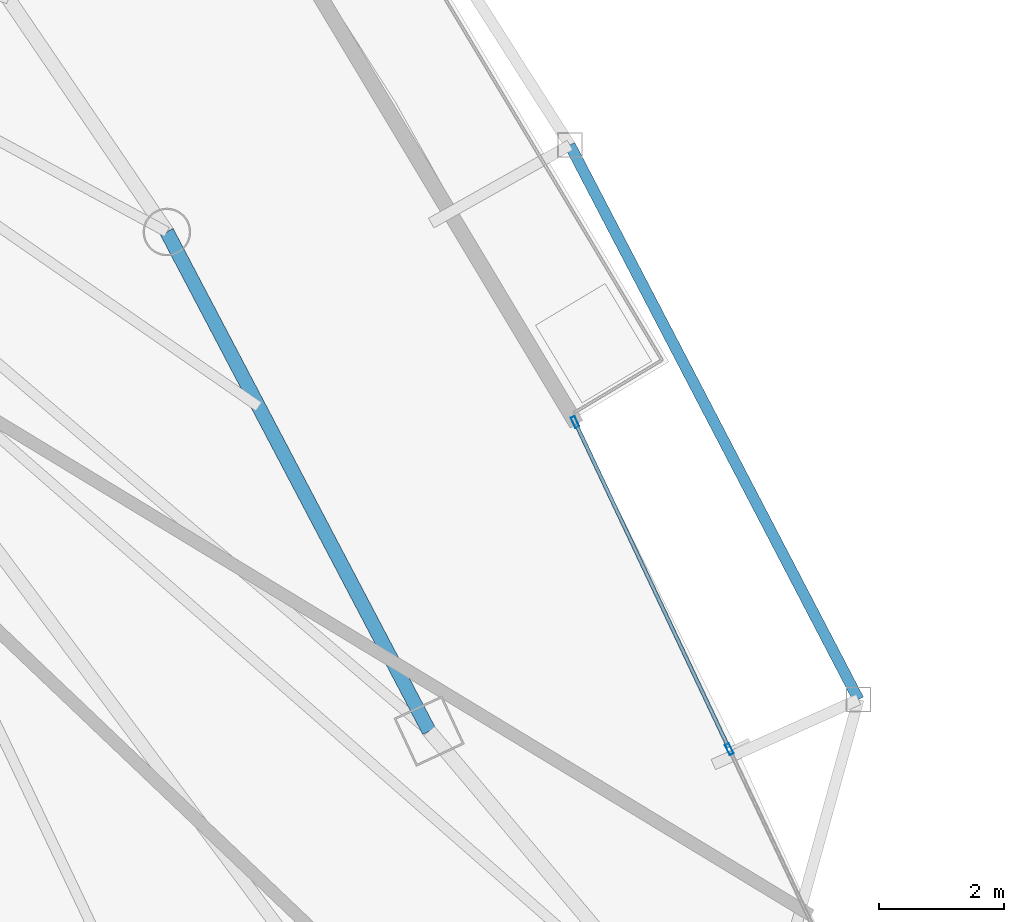
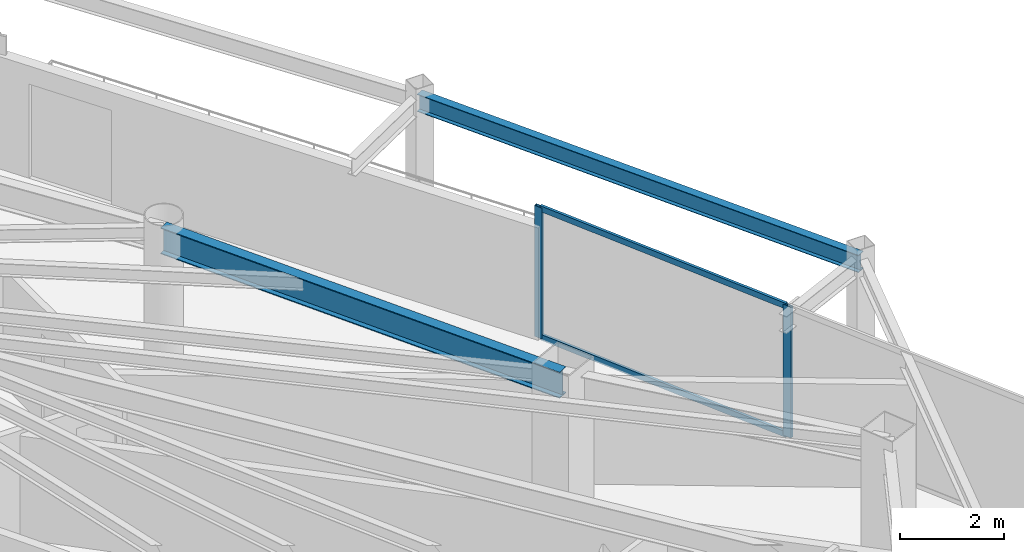
# One storey, part 15 of 31: 4 members, 2 beams, 1 element without a shape of its own.
"""IFC4 building model written with IfcOpenShell, lengths in metres."""

from ifc_helpers import new_model, si_unit, direction, frame, origin, origin_2d, place, context, subcontext, project, spatial, hollow_rectangle, i_section, extrude, material, layer, layer_set, material_profile, profile_set, type_object, element, aggregate, save


model = new_model("IFC4")

# Units and contexts
model_context = context("Model", 3, precision=1e-05, world=origin(), true_north=direction((0.0, 1.0)))
body_context = subcontext(model_context, "Body", "Model", "MODEL_VIEW")
ifc_project = project(units=[si_unit("LENGTHUNIT", "METRE"), si_unit("AREAUNIT", "SQUARE_METRE"), si_unit("VOLUMEUNIT", "CUBIC_METRE"), si_unit("PLANEANGLEUNIT", "RADIAN"), si_unit("MASSUNIT", "GRAM", prefix="KILO")], contexts=[model_context])

# Site, building, storey
site_placement = place(None, origin())
site = spatial("IfcSite", under=ifc_project, at=site_placement, CompositionType="ELEMENT")
building_placement = place(site_placement, origin())
building = spatial("IfcBuilding", under=site, at=building_placement, Name="Orvanel Arch Residences", CompositionType="ELEMENT")
storey_placement = place(building_placement, frame((0.0, 0.0, 110.0)))
storey = spatial("IfcBuildingStorey", under=building, at=storey_placement, Name="L30", CompositionType="ELEMENT", Elevation=110.0)

# Curtain wall, members
ifc_material_1 = material(Name="Bronze-anodised aluminium AA6063-T6", Category="aluminium")
ifc_layer = layer(ifc_material_1, 0.179931640625)
ifc_layer_set = layer_set([ifc_layer], Name="Bronze-anodised aluminium AA6063-T6")
curtain_wall_type = type_object("IfcCurtainWallType", Name="CW3-MID-SYS", PredefinedType="NOTDEFINED", material=ifc_layer_set)
curtain_wall_placement = place(storey_placement, origin())
curtain_wall = element("IfcCurtainWall", 1, at=curtain_wall_placement, inside=storey, type_object=curtain_wall_type, Name="L30 CW3-MID-SYS Unitised Curtain Wall", PredefinedType="NOTDEFINED")
ifc_material_profile_1 = material_profile(ifc_material_1, hollow_rectangle(XDim=0.070068359375, YDim=0.179931640625, WallThickness=0.00439453125, at=origin_2d()), Name="ALU180x70x4.5")
ifc_profile_set_1 = profile_set([ifc_material_profile_1], Name="Bronze-anodised aluminium AA6063-T6")
member_type_1 = type_object("IfcMemberType", Name="MUL-180x70", PredefinedType="MULLION", material=ifc_profile_set_1)
member_1_placement = place(storey_placement, frame((54.444580078125, 19.3515625, 0.0), z_axis=(0.0, 0.0, 1.0), x_axis=(-0.904427848168, -0.42662661363, 0.0)))
member_1 = element("IfcMember", 2, at=member_1_placement, type_object=member_type_1, Name="CW-S3 mullion 2", PredefinedType="MULLION", context=body_context, shape_type="SweptSolid", body=[
    extrude(hollow_rectangle(XDim=0.070068359375, YDim=0.179931640625, WallThickness=0.00439453125, at=origin_2d()), origin(), (0.0, 0.0, 1.0), 3.06005859375),
])
member_2_placement = place(storey_placement, frame((51.970947265625, 24.595458984375, 0.0), z_axis=(0.0, 0.0, 1.0), x_axis=(-0.904427848168, -0.42662661363, 0.0)))
member_2 = element("IfcMember", 3, at=member_2_placement, type_object=member_type_1, Name="CW-S3 mullion 3", PredefinedType="MULLION", context=body_context, shape_type="SweptSolid", body=[
    extrude(hollow_rectangle(XDim=0.070068359375, YDim=0.179931640625, WallThickness=0.00439453125, at=origin_2d()), origin(), (0.0, 0.0, 1.0), 3.06005859375),
])

# Beams
ifc_material_2 = material(Name="Structural steel AS/NZS 3679.1 Grade 300 (300 MPa)", Category="steel")
ifc_material_profile_2 = material_profile(ifc_material_2, i_section(OverallWidth=0.177978515625, OverallDepth=0.406005859375, WebThickness=0.0078125, FlangeThickness=0.0126953125, at=origin_2d()), Name="410UB59.7")
ifc_profile_set_2 = profile_set([ifc_material_profile_2], Name="Structural steel AS/NZS 3679.1 Grade 300 (300 MPa)")
beam_type_1 = type_object("IfcBeamType", Name="OB-410UB-EXT", PredefinedType="SPANDREL", material=ifc_profile_set_2)
beam_1_placement = place(storey_placement, frame((56.513916015625, 20.14892578125, 2.85693359375), z_axis=(-0.461769433081, 0.886999994742, 0.0), x_axis=(-0.886999994742, -0.461769433081, 0.0)))
element("IfcBeam", 4, at=beam_1_placement, inside=storey, type_object=beam_type_1, Name="L30 Outer Perimeter Floor Ring Beam 09", PredefinedType="SPANDREL", context=body_context, shape_type="SweptSolid", body=[
    extrude(i_section(OverallWidth=0.177978515625, OverallDepth=0.406005859375, WebThickness=0.0078125, FlangeThickness=0.0126953125, at=origin_2d()), origin(), (0.0, 0.0, 1.0), 10.015869140625),
])
ifc_material_profile_3 = material_profile(ifc_material_2, i_section(OverallWidth=0.22900390625, OverallDepth=0.612060546875, WebThickness=0.011962890625, FlangeThickness=0.01953125, at=origin_2d()), Name="610UB125")
ifc_profile_set_3 = profile_set([ifc_material_profile_3], Name="Structural steel AS/NZS 3679.1 Grade 300 (300 MPa)")
beam_type_2 = type_object("IfcBeamType", Name="SP-610UB", PredefinedType="SPANDREL", material=ifc_profile_set_3)
beam_2_placement = place(storey_placement, frame((49.633056640625, 19.64208984375, 2.75390625), z_axis=(-0.465064762793, 0.885276660942, 0.0), x_axis=(-0.885276660942, -0.465064762793, 0.0)))
element("IfcBeam", 5, at=beam_2_placement, inside=storey, type_object=beam_type_2, Name="L30 Perimeter Spandrel Beam 11", PredefinedType="SPANDREL", context=body_context, shape_type="SweptSolid", body=[
    extrude(i_section(OverallWidth=0.22900390625, OverallDepth=0.612060546875, WebThickness=0.011962890625, FlangeThickness=0.01953125, at=origin_2d()), origin(), (0.0, 0.0, 1.0), 9.03564453125),
])

# Member
ifc_material_profile_4 = material_profile(ifc_material_1, hollow_rectangle(XDim=0.06005859375, YDim=0.135009765625, WallThickness=0.00390625, at=origin_2d()), Name="ALU135x60x4")
ifc_profile_set_4 = profile_set([ifc_material_profile_4], Name="Bronze-anodised aluminium AA6063-T6")
member_type_2 = type_object("IfcMemberType", Name="TRN-135x60", PredefinedType="USERDEFINED", material=ifc_profile_set_4)
member_3_placement = place(storey_placement, frame((54.4296875, 19.383056640625, 0.030029296875), z_axis=(-0.426638409956, 0.904422283643, 0.0), x_axis=(-0.904422283643, -0.426638409956, 0.0)))
member_3 = element("IfcMember", 6, at=member_3_placement, type_object=member_type_2, Name="CW-S3 transom 2.1", ObjectType="TRANSOM", PredefinedType="USERDEFINED", context=body_context, shape_type="SweptSolid", body=[
    extrude(hollow_rectangle(XDim=0.06005859375, YDim=0.135009765625, WallThickness=0.00390625, at=origin_2d()), origin(), (0.0, 0.0, 1.0), 5.72802734375),
])

member_4_placement = place(storey_placement, frame((54.4296875, 19.383056640625, 3.030029296875), z_axis=(-0.426638409956, 0.904422283643, 0.0), x_axis=(-0.904422283643, -0.426638409956, 0.0)))
member_4 = element("IfcMember", 7, at=member_4_placement, type_object=member_type_2, Name="CW-S3 transom 2.2", ObjectType="TRANSOM", PredefinedType="USERDEFINED", context=body_context, shape_type="SweptSolid", body=[
    extrude(hollow_rectangle(XDim=0.06005859375, YDim=0.135009765625, WallThickness=0.00390625, at=origin_2d()), origin(), (0.0, 0.0, 1.0), 5.72802734375),
])

aggregate(curtain_wall, [member_1, member_2, member_3, member_4])

save(model, "model.ifc")
